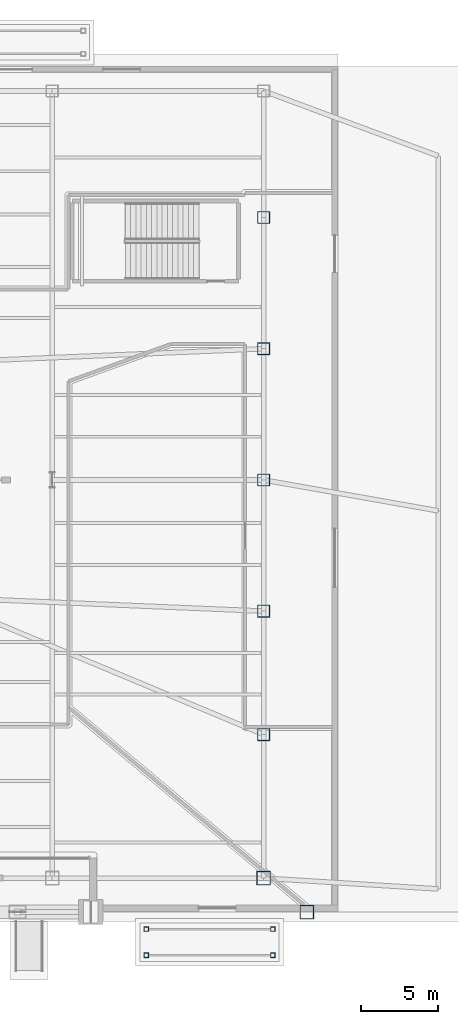
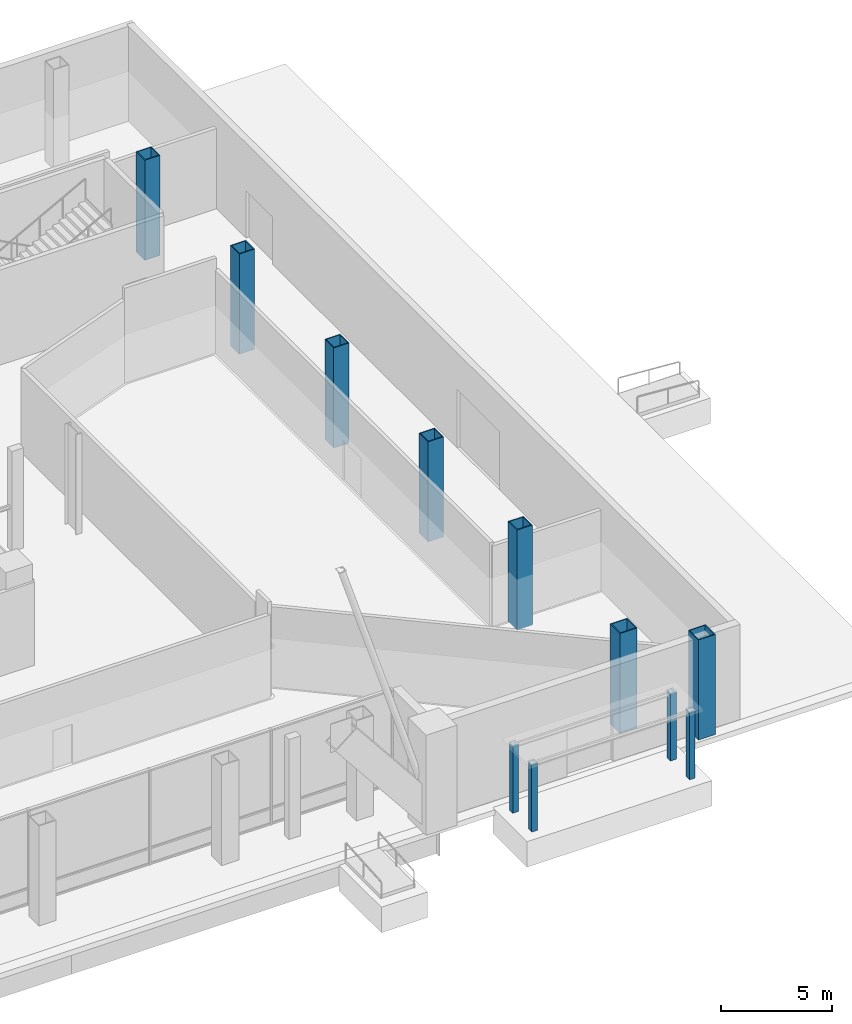
# One storey, part 6 of 27: 11 columns.
"""IFC4 building model written with IfcOpenShell, lengths in metres."""

from ifc_helpers import new_model, si_unit, direction, frame, origin, origin_2d, place, context, subcontext, project, spatial, hollow_rectangle, extrude, material, material_profile, profile_set, type_object, element, save


model = new_model("IFC4")

# Units and contexts
model_context = context("Model", 3, precision=1e-05, world=origin(), true_north=direction((0.0, 1.0)))
body_context = subcontext(model_context, "Body", "Model", "MODEL_VIEW")
ifc_project = project(units=[si_unit("LENGTHUNIT", "METRE"), si_unit("AREAUNIT", "SQUARE_METRE"), si_unit("VOLUMEUNIT", "CUBIC_METRE"), si_unit("PLANEANGLEUNIT", "RADIAN"), si_unit("MASSUNIT", "GRAM", prefix="KILO")], contexts=[model_context])

# Site, building, storey
site_placement = place(None, origin())
site = spatial("IfcSite", under=ifc_project, at=site_placement, CompositionType="ELEMENT")
building_placement = place(site_placement, origin())
building = spatial("IfcBuilding", under=site, at=building_placement, Name="Tharavind Bronze Gate", CompositionType="ELEMENT")
storey_placement = place(building_placement, origin())
storey = spatial("IfcBuildingStorey", under=building, at=storey_placement, Name="L00", CompositionType="ELEMENT", Elevation=0.0)

# Columns
ifc_material = material(Name="Steel S460", Category="steel")
ifc_material_profile_1 = material_profile(ifc_material, hollow_rectangle(XDim=0.300048828125, YDim=0.300048828125, WallThickness=0.02001953125, at=origin_2d()), Name="SHS300X20")
ifc_profile_set_1 = profile_set([ifc_material_profile_1], Name="Steel S460")
column_type_1 = type_object("IfcColumnType", Name="PERIMETER BOX COLUMN SHS300", PredefinedType="COLUMN", material=ifc_profile_set_1)
for number, where, z_axis, x_axis, name in (
    (1, (22.60009765625, -30.800048828125, 0.0), (0.0, 0.0, 1.0), (1.0, 0.0, 0.0), "L00 canopy support post CN2A"),
    (2, (30.800048828125, -30.800048828125, 0.0), (0.0, 0.0, 1.0), (1.0, 0.0, 0.0), "L00 canopy support post CN2B"),
    (3, (30.800048828125, -29.10009765625, 0.0), (0.0, 0.0, 1.0), (1.0, 0.0, 0.0), "L00 canopy support post CN2C"),
    (4, (22.60009765625, -29.10009765625, 0.0), (0.0, 0.0, 1.0), (1.0, 0.0, 0.0), "L00 canopy support post CN2D"),
):
    element("IfcColumn", number, at=place(storey_placement, frame(where, z_axis=z_axis, x_axis=x_axis)), inside=storey, type_object=column_type_1, Name=name, PredefinedType="COLUMN", context=body_context, shape_type="SweptSolid", body=[
        extrude(hollow_rectangle(XDim=0.300048828125, YDim=0.300048828125, WallThickness=0.02001953125, at=origin_2d()), origin(), (0.0, 0.0, 1.0), 3.699951171875),
    ])
ifc_material_profile_2 = material_profile(ifc_material, hollow_rectangle(XDim=0.800048828125, YDim=0.800048828125, WallThickness=0.044921875, at=origin_2d()), Name="SHS800X45")
ifc_profile_set_2 = profile_set([ifc_material_profile_2], Name="Steel S460")
column_type_2 = type_object("IfcColumnType", Name="PERIMETER BOX COLUMN SHS800", PredefinedType="COLUMN", material=ifc_profile_set_2)
for number, where, z_axis, x_axis, name in (
    (5, (30.199951171875, -16.5, 0.0), (0.0, 0.0, 1.0), (1.0, 0.0, 0.0), "L00 podium column PE14"),
    (6, (30.199951171875, -8.5, 0.0), (0.0, 0.0, 1.0), (1.0, 0.0, 0.0), "L00 podium column PE22"),
    (7, (30.199951171875, 0.0, 0.0), (0.0, 0.0, 1.0), (1.0, 0.0, 0.0), "L00 podium column PE30"),
    (8, (30.199951171875, 8.5, 0.0), (0.0, 0.0, 1.0), (1.0, 0.0, 0.0), "L00 podium column PE38"),
    (9, (30.199951171875, 17.0, 0.0), (0.0, 0.0, 1.0), (1.0, 0.0, 0.0), "L00 podium column PE47"),
):
    element("IfcColumn", number, at=place(storey_placement, frame(where, z_axis=z_axis, x_axis=x_axis)), inside=storey, type_object=column_type_2, Name=name, PredefinedType="COLUMN", context=body_context, shape_type="SweptSolid", body=[
        extrude(hollow_rectangle(XDim=0.800048828125, YDim=0.800048828125, WallThickness=0.044921875, at=origin_2d()), origin(), (0.0, 0.0, 1.0), 5.5),
    ])
ifc_material_profile_3 = material_profile(ifc_material, hollow_rectangle(XDim=0.89990234375, YDim=0.89990234375, WallThickness=0.050048828125, at=origin_2d()), Name="SHS900X50")
ifc_profile_set_3 = profile_set([ifc_material_profile_3], Name="Steel S460")
column_type_3 = type_object("IfcColumnType", Name="PERIMETER BOX COLUMN SHS900", PredefinedType="COLUMN", material=ifc_profile_set_3)
for number, where, z_axis, x_axis, name in (
    (10, (30.199951171875, -25.800048828125, 0.0), (0.0, 0.0, 1.0), (1.0, 0.0, 0.0), "L00 podium column PS70"),
    (11, (33.0, -28.0, 0.0), (0.0, 0.0, 1.0), (1.0, 0.0, 0.0), "L00 podium column CRNS4"),
):
    element("IfcColumn", number, at=place(storey_placement, frame(where, z_axis=z_axis, x_axis=x_axis)), inside=storey, type_object=column_type_3, Name=name, PredefinedType="COLUMN", context=body_context, shape_type="SweptSolid", body=[
        extrude(hollow_rectangle(XDim=0.89990234375, YDim=0.89990234375, WallThickness=0.050048828125, at=origin_2d()), origin(), (0.0, 0.0, 1.0), 5.5),
    ])

save(model, "model.ifc")
